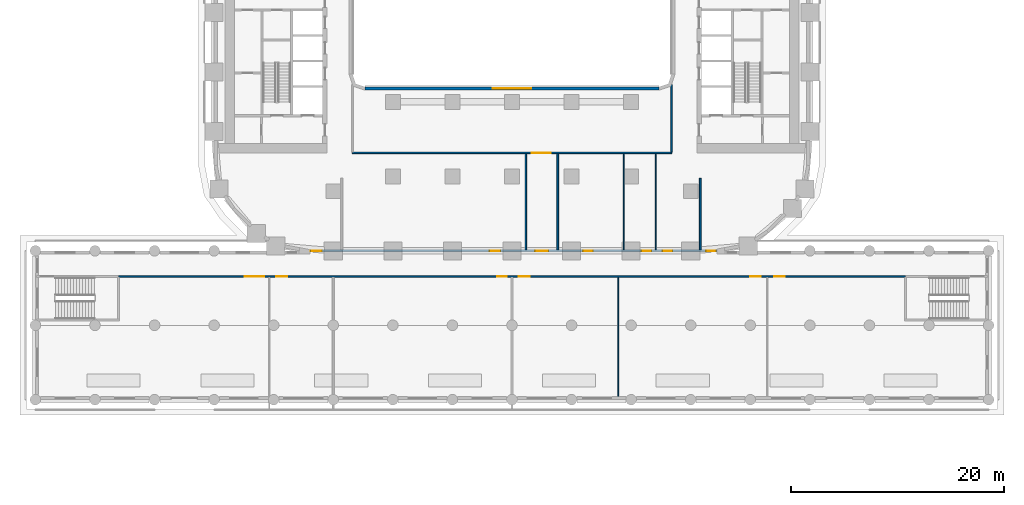
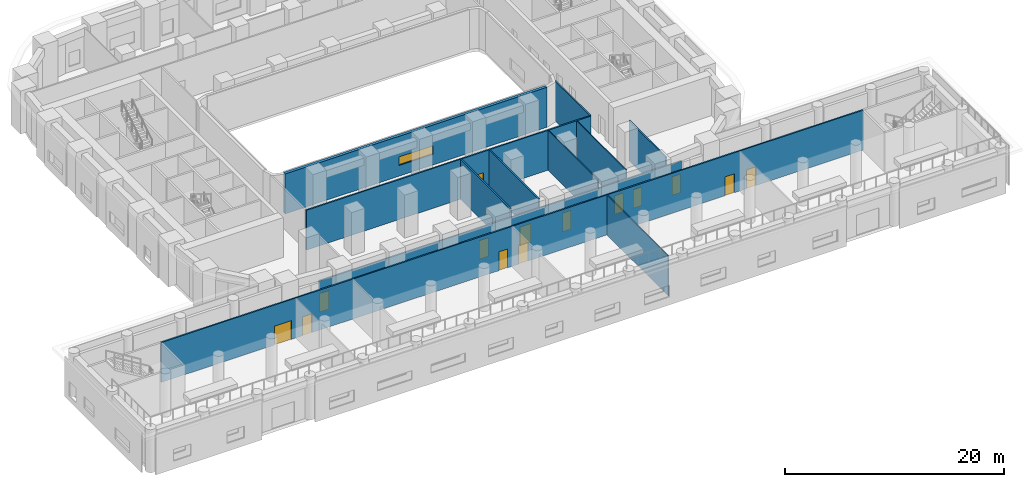
# One storey, part 22 of 35: 14 doors, 11 walls, 1 window, 15 openings.
"""IFC4 building model written with IfcOpenShell, lengths in metres."""

from ifc_helpers import new_model, si_unit, direction, frame, frame_2d, origin, place, context, subcontext, project, spatial, rectangle, extrude, material, layer, layer_set, type_object, element, fill, save


model = new_model("IFC4")

# Units and contexts
model_context = context("Model", 3, precision=1e-05, world=origin(), true_north=direction((0.0, 1.0)))
body_context = subcontext(model_context, "Body", "Model", "MODEL_VIEW")
ifc_project = project(units=[si_unit("LENGTHUNIT", "METRE"), si_unit("AREAUNIT", "SQUARE_METRE"), si_unit("VOLUMEUNIT", "CUBIC_METRE"), si_unit("PLANEANGLEUNIT", "RADIAN"), si_unit("MASSUNIT", "GRAM", prefix="KILO")], contexts=[model_context])

# Site, building, storey
site_placement = place(None, origin())
site = spatial("IfcSite", under=ifc_project, at=site_placement, CompositionType="ELEMENT")
building_placement = place(site_placement, origin())
building = spatial("IfcBuilding", under=site, at=building_placement, Name="Kiln Ring Residences", CompositionType="ELEMENT")
storey_placement = place(building_placement, frame((0.0, 0.0, 20.89990234375)))
storey = spatial("IfcBuildingStorey", under=building, at=storey_placement, Name="L04", CompositionType="ELEMENT", Elevation=20.89990234375)

# Wall, opening, window
ifc_material_1 = material(Name="Brick masonry, dark clay brick", Category="masonry")
ifc_layer_1 = layer(ifc_material_1, 0.300048828125)
ifc_layer_set_1 = layer_set([ifc_layer_1], Name="EW-300 BRICK WALL")
wall_type_1 = type_object("IfcWallType", Name="EW-300 BRICK WALL", PredefinedType="SOLIDWALL", material=ifc_layer_set_1)
wall_1_placement = place(storey_placement, frame((13.800048828125, -7.14990234375, 0.0), z_axis=(0.0, 0.0, 1.0), x_axis=(-1.0, 0.0, 0.0)))
wall_1 = element("IfcWall", 1, at=wall_1_placement, inside=storey, type_object=wall_type_1, Name="Facade wall L04 74", PredefinedType="SOLIDWALL", context=body_context, shape_type="SweptSolid", body=[
    extrude(rectangle(XDim=27.60009765625, YDim=0.300048828125, at=frame_2d((13.800048828125, 0.0))), origin(), (0.0, 0.0, 1.0), 4.4501953125),
])
opening_1_placement = place(wall_1_placement, frame((12.0, 0.0, 1.199951171875)))
opening_1 = element("IfcOpeningElement", 2, at=opening_1_placement, cuts=wall_1, Name="Opening W4", PredefinedType="OPENING", context=body_context, shape_type="SweptSolid", body=[
    extrude(rectangle(XDim=3.60009765625, YDim=0.949951171875, at=frame_2d((1.800048828125, 0.47509765625))), frame((0.0, 0.159912109375, 0.0), z_axis=(0.0, -1.0, 0.0), x_axis=(1.0, 0.0, 0.0)), (0.0, 0.0, 1.0), 0.320068359375),
])
ifc_material_2 = material(Name="Aluminium frame with double glazing", Category="aluminium")
window_type = type_object("IfcWindowType", Name="WINDOW 3600 x 950", PartitioningType="SINGLE_PANEL", PredefinedType="WINDOW", material=ifc_material_2)
window_placement = place(opening_1_placement, origin())
window = element("IfcWindow", 3, at=window_placement, inside=storey, type_object=window_type, Name="Window L04 43", OverallHeight=0.949951171875, OverallWidth=3.60009765625, PartitioningType="SINGLE_PANEL", PredefinedType="WINDOW", context=body_context, shape_type="SweptSolid", body=[
    extrude(rectangle(XDim=3.60009765625, YDim=0.949951171875, at=frame_2d((1.800048828125, 0.47509765625))), frame((0.0, 0.030029296875, 0.0), z_axis=(0.0, -1.0, 0.0), x_axis=(1.0, 0.0, 0.0)), (0.0, 0.0, 1.0), 0.06005859375),
])
fill(opening_1, window)

# Walls
ifc_material_3 = material(Name="Gypsum board on steel studs", Category="steel")
ifc_layer_2 = layer(ifc_material_3, 0.10009765625)
ifc_layer_set_2 = layer_set([ifc_layer_2], Name="PARTITION-100")
wall_type_2 = type_object("IfcWallType", Name="PARTITION-100", PredefinedType="PARTITIONING", material=ifc_layer_set_2)
wall_2_placement = place(storey_placement, frame((10.0, -36.080078125, 0.0), z_axis=(0.0, 0.0, 1.0), x_axis=(0.0, 1.0, 0.0)))
element("IfcWall", 4, at=wall_2_placement, inside=storey, type_object=wall_type_2, Name="Partition 021", PredefinedType="PARTITIONING", context=body_context, shape_type="SweptSolid", body=[
    extrude(rectangle(XDim=11.205078125, YDim=0.10009765625, at=frame_2d((5.6025390625, 0.0))), origin(), (0.0, 0.0, 1.0), 4.4501953125),
])
for number, where, z_axis, x_axis, name in (
    (5, (10.5, -22.324951171875, 0.0), (0.0, 0.0, 1.0), (0.0, 1.0, 0.0), "Partition 022"),
    (6, (13.5, -22.324951171875, 0.0), (0.0, 0.0, 1.0), (0.0, 1.0, 0.0), "Partition 023"),
):
    element("IfcWall", number, at=place(storey_placement, frame(where, z_axis=z_axis, x_axis=x_axis)), inside=storey, type_object=wall_type_2, Name=name, PredefinedType="PARTITIONING", context=body_context, shape_type="SweptSolid", body=[
        extrude(rectangle(XDim=9.050048828125, YDim=0.10009765625, at=frame_2d((4.52490234375, 0.0))), origin(), (0.0, 0.0, 1.0), 4.4501953125),
    ])

# Wall, openings, doors
ifc_material_4 = material(Name="Brick masonry partition", Category="masonry")
ifc_layer_3 = layer(ifc_material_4, 0.14990234375)
ifc_layer_set_3 = layer_set([ifc_layer_3], Name="PARTITION-150-ei60")
wall_type_3 = type_object("IfcWallType", Name="PARTITION-150-ei60", PredefinedType="PARTITIONING", material=ifc_layer_set_3)
wall_3_placement = place(storey_placement, frame((-37.0, -24.800048828125, 0.0), z_axis=(0.0, 0.0, 1.0), x_axis=(1.0, 0.0, 0.0)))
wall_3 = element("IfcWall", 7, at=wall_3_placement, inside=storey, type_object=wall_type_3, Name="Partition 002", PredefinedType="PARTITIONING", context=body_context, shape_type="SweptSolid", body=[
    extrude(rectangle(XDim=74.0, YDim=0.14990234375, at=frame_2d((37.0, 0.0))), origin(), (0.0, 0.0, 1.0), 4.4501953125),
])
opening_2_placement = place(wall_3_placement, frame((11.89990234375, 0.0, 0.0)))
opening_2 = element("IfcOpeningElement", 8, at=opening_2_placement, cuts=wall_3, Name="Opening L04-D008", PredefinedType="OPENING", context=body_context, shape_type="SweptSolid", body=[
    extrude(rectangle(XDim=1.800048828125, YDim=2.10009765625, at=frame_2d((0.89990234375, 1.050048828125))), frame((0.0, 0.0849609375, 0.0), z_axis=(0.0, -1.0, 0.0), x_axis=(1.0, 0.0, 0.0)), (0.0, 0.0, 1.0), 0.169921875),
])
opening_3_placement = place(wall_3_placement, frame((14.85009765625, 0.0, 0.0)))
opening_3 = element("IfcOpeningElement", 9, at=opening_3_placement, cuts=wall_3, Name="Opening L04-D009", PredefinedType="OPENING", context=body_context, shape_type="SweptSolid", body=[
    extrude(rectangle(XDim=1.0, YDim=2.10009765625, at=frame_2d((0.5, 1.050048828125))), frame((0.0, 0.0849609375, 0.0), z_axis=(0.0, -1.0, 0.0), x_axis=(1.0, 0.0, 0.0)), (0.0, 0.0, 1.0), 0.169921875),
])
opening_4_placement = place(wall_3_placement, frame((35.60009765625, 0.0, 0.0)))
opening_4 = element("IfcOpeningElement", 10, at=opening_4_placement, cuts=wall_3, Name="Opening L04-D010", PredefinedType="OPENING", context=body_context, shape_type="SweptSolid", body=[
    extrude(rectangle(XDim=0.89990234375, YDim=2.10009765625, at=frame_2d((0.449951171875, 1.050048828125))), frame((0.0, 0.0849609375, 0.0), z_axis=(0.0, -1.0, 0.0), x_axis=(1.0, 0.0, 0.0)), (0.0, 0.0, 1.0), 0.169921875),
])
opening_5_placement = place(wall_3_placement, frame((37.64990234375, 0.0, 0.0)))
opening_5 = element("IfcOpeningElement", 11, at=opening_5_placement, cuts=wall_3, Name="Opening L04-D011", PredefinedType="OPENING", context=body_context, shape_type="SweptSolid", body=[
    extrude(rectangle(XDim=1.0, YDim=2.10009765625, at=frame_2d((0.5, 1.050048828125))), frame((0.0, 0.0849609375, 0.0), z_axis=(0.0, -1.0, 0.0), x_axis=(1.0, 0.0, 0.0)), (0.0, 0.0, 1.0), 0.169921875),
])
opening_6_placement = place(wall_3_placement, frame((59.39990234375, 0.0, 0.0)))
opening_6 = element("IfcOpeningElement", 12, at=opening_6_placement, cuts=wall_3, Name="Opening L04-D012", PredefinedType="OPENING", context=body_context, shape_type="SweptSolid", body=[
    extrude(rectangle(XDim=1.0, YDim=2.10009765625, at=frame_2d((0.5, 1.050048828125))), frame((0.0, 0.0849609375, 0.0), z_axis=(0.0, -1.0, 0.0), x_axis=(1.0, 0.0, 0.0)), (0.0, 0.0, 1.0), 0.169921875),
])
opening_7_placement = place(wall_3_placement, frame((61.64990234375, 0.0, 0.0)))
opening_7 = element("IfcOpeningElement", 13, at=opening_7_placement, cuts=wall_3, Name="Opening L04-D013", PredefinedType="OPENING", context=body_context, shape_type="SweptSolid", body=[
    extrude(rectangle(XDim=1.0, YDim=2.10009765625, at=frame_2d((0.5, 1.050048828125))), frame((0.0, 0.0849609375, 0.0), z_axis=(0.0, -1.0, 0.0), x_axis=(1.0, 0.0, 0.0)), (0.0, 0.0, 1.0), 0.169921875),
])
ifc_material_5 = material(Name="Steel faced fire door leaf", Category="steel")
door_type_1 = type_object("IfcDoorType", Name="FLAT-DOOR-1000-FR", OperationType="SINGLE_SWING_LEFT", PredefinedType="DOOR", material=ifc_material_5)
door_1_placement = place(opening_3_placement, origin())
door_1 = element("IfcDoor", 14, at=door_1_placement, inside=storey, type_object=door_type_1, Name="Door L04-D009", OperationType="SINGLE_SWING_LEFT", OverallHeight=2.10009765625, OverallWidth=1.0, PredefinedType="DOOR", context=body_context, shape_type="SweptSolid", body=[
    extrude(rectangle(XDim=1.0, YDim=2.10009765625, at=frame_2d((0.5, 1.050048828125))), frame((0.0, 0.02490234375, 0.0), z_axis=(0.0, -1.0, 0.0), x_axis=(1.0, 0.0, 0.0)), (0.0, 0.0, 1.0), 0.050048828125),
])
fill(opening_3, door_1)
door_2_placement = place(opening_5_placement, origin())
door_2 = element("IfcDoor", 15, at=door_2_placement, inside=storey, type_object=door_type_1, Name="Door L04-D011", OperationType="SINGLE_SWING_LEFT", OverallHeight=2.10009765625, OverallWidth=1.0, PredefinedType="DOOR", context=body_context, shape_type="SweptSolid", body=[
    extrude(rectangle(XDim=1.0, YDim=2.10009765625, at=frame_2d((0.5, 1.050048828125))), frame((0.0, 0.02490234375, 0.0), z_axis=(0.0, -1.0, 0.0), x_axis=(1.0, 0.0, 0.0)), (0.0, 0.0, 1.0), 0.050048828125),
])
fill(opening_5, door_2)
door_3_placement = place(opening_6_placement, origin())
door_3 = element("IfcDoor", 16, at=door_3_placement, inside=storey, type_object=door_type_1, Name="Door L04-D012", OperationType="SINGLE_SWING_RIGHT", OverallHeight=2.10009765625, OverallWidth=1.0, PredefinedType="DOOR", context=body_context, shape_type="SweptSolid", body=[
    extrude(rectangle(XDim=1.0, YDim=2.10009765625, at=frame_2d((0.5, 1.050048828125))), frame((0.0, 0.02490234375, 0.0), z_axis=(0.0, -1.0, 0.0), x_axis=(1.0, 0.0, 0.0)), (0.0, 0.0, 1.0), 0.050048828125),
])
fill(opening_6, door_3)
door_4_placement = place(opening_7_placement, origin())
door_4 = element("IfcDoor", 17, at=door_4_placement, inside=storey, type_object=door_type_1, Name="Door L04-D013", OperationType="SINGLE_SWING_LEFT", OverallHeight=2.10009765625, OverallWidth=1.0, PredefinedType="DOOR", context=body_context, shape_type="SweptSolid", body=[
    extrude(rectangle(XDim=1.0, YDim=2.10009765625, at=frame_2d((0.5, 1.050048828125))), frame((0.0, 0.02490234375, 0.0), z_axis=(0.0, -1.0, 0.0), x_axis=(1.0, 0.0, 0.0)), (0.0, 0.0, 1.0), 0.050048828125),
])
fill(opening_7, door_4)
ifc_material_6 = material(Name="Steel faced fire door leaf", Category="steel")
door_type_2 = type_object("IfcDoorType", Name="FLAT-DOOR-1800-FR", OperationType="SINGLE_SWING_LEFT", PredefinedType="DOOR", material=ifc_material_6)
door_5_placement = place(opening_2_placement, origin())
door_5 = element("IfcDoor", 18, at=door_5_placement, inside=storey, type_object=door_type_2, Name="Door L04-D008", OperationType="SINGLE_SWING_RIGHT", OverallHeight=2.10009765625, OverallWidth=1.800048828125, PredefinedType="DOOR", context=body_context, shape_type="SweptSolid", body=[
    extrude(rectangle(XDim=1.800048828125, YDim=2.10009765625, at=frame_2d((0.89990234375, 1.050048828125))), frame((0.0, 0.02490234375, 0.0), z_axis=(0.0, -1.0, 0.0), x_axis=(1.0, 0.0, 0.0)), (0.0, 0.0, 1.0), 0.050048828125),
])
fill(opening_2, door_5)
ifc_material_7 = material(Name="Steel faced fire door leaf", Category="steel")
door_type_3 = type_object("IfcDoorType", Name="FLAT-DOOR-900-FR", OperationType="SINGLE_SWING_LEFT", PredefinedType="DOOR", material=ifc_material_7)
door_6_placement = place(opening_4_placement, origin())
door_6 = element("IfcDoor", 19, at=door_6_placement, inside=storey, type_object=door_type_3, Name="Door L04-D010", OperationType="SINGLE_SWING_RIGHT", OverallHeight=2.10009765625, OverallWidth=0.89990234375, PredefinedType="DOOR", context=body_context, shape_type="SweptSolid", body=[
    extrude(rectangle(XDim=0.89990234375, YDim=2.10009765625, at=frame_2d((0.449951171875, 1.050048828125))), frame((0.0, 0.02490234375, 0.0), z_axis=(0.0, -1.0, 0.0), x_axis=(1.0, 0.0, 0.0)), (0.0, 0.0, 1.0), 0.050048828125),
])
fill(opening_4, door_6)

wall_4_placement = place(storey_placement, frame((-18.97998046875, -22.39990234375, 0.0), z_axis=(0.0, 0.0, 1.0), x_axis=(1.0, 0.0, 0.0)))
wall_4 = element("IfcWall", 20, at=wall_4_placement, inside=storey, type_object=wall_type_3, Name="Partition 005", PredefinedType="PARTITIONING", context=body_context, shape_type="SweptSolid", body=[
    extrude(rectangle(XDim=38.2109375, YDim=0.14990234375, at=frame_2d((19.10546875, 0.0))), origin(), (0.0, 0.0, 1.0), 3.550048828125),
])
opening_8_placement = place(wall_4_placement, frame((21.179931640625, 0.0, 0.0)))
opening_8 = element("IfcOpeningElement", 21, at=opening_8_placement, cuts=wall_4, Name="Opening L04-D005", PredefinedType="OPENING", context=body_context, shape_type="SweptSolid", body=[
    extrude(rectangle(XDim=1.199951171875, YDim=2.10009765625, at=frame_2d((0.60009765625, 1.050048828125))), frame((0.0, 0.0849609375, 0.0), z_axis=(0.0, -1.0, 0.0), x_axis=(1.0, 0.0, 0.0)), (0.0, 0.0, 1.0), 0.169921875),
])
opening_9_placement = place(wall_4_placement, frame((0.080078125, 0.0, 0.0)))
opening_9 = element("IfcOpeningElement", 22, at=opening_9_placement, cuts=wall_4, Name="Opening L04-D014", PredefinedType="OPENING", context=body_context, shape_type="SweptSolid", body=[
    extrude(rectangle(XDim=1.0, YDim=2.10009765625, at=frame_2d((0.5, 1.050048828125))), frame((0.0, 0.0849609375, 0.0), z_axis=(0.0, -1.0, 0.0), x_axis=(1.0, 0.0, 0.0)), (0.0, 0.0, 1.0), 0.169921875),
])
opening_10_placement = place(wall_4_placement, frame((16.8798828125, 0.0, 0.0)))
opening_10 = element("IfcOpeningElement", 23, at=opening_10_placement, cuts=wall_4, Name="Opening L04-D015", PredefinedType="OPENING", context=body_context, shape_type="SweptSolid", body=[
    extrude(rectangle(XDim=1.0, YDim=2.10009765625, at=frame_2d((0.5, 1.050048828125))), frame((0.0, 0.0849609375, 0.0), z_axis=(0.0, -1.0, 0.0), x_axis=(1.0, 0.0, 0.0)), (0.0, 0.0, 1.0), 0.169921875),
])
opening_11_placement = place(wall_4_placement, frame((25.679931640625, 0.0, 0.0)))
opening_11 = element("IfcOpeningElement", 24, at=opening_11_placement, cuts=wall_4, Name="Opening L04-D016", PredefinedType="OPENING", context=body_context, shape_type="SweptSolid", body=[
    extrude(rectangle(XDim=0.89990234375, YDim=2.10009765625, at=frame_2d((0.449951171875, 1.050048828125))), frame((0.0, 0.0849609375, 0.0), z_axis=(0.0, -1.0, 0.0), x_axis=(1.0, 0.0, 0.0)), (0.0, 0.0, 1.0), 0.169921875),
])
opening_12_placement = place(wall_4_placement, frame((31.179931640625, 0.0, 0.0)))
opening_12 = element("IfcOpeningElement", 25, at=opening_12_placement, cuts=wall_4, Name="Opening L04-D017", PredefinedType="OPENING", context=body_context, shape_type="SweptSolid", body=[
    extrude(rectangle(XDim=0.89990234375, YDim=2.10009765625, at=frame_2d((0.449951171875, 1.050048828125))), frame((0.0, 0.0849609375, 0.0), z_axis=(0.0, -1.0, 0.0), x_axis=(1.0, 0.0, 0.0)), (0.0, 0.0, 1.0), 0.169921875),
])
opening_13_placement = place(wall_4_placement, frame((33.1298828125, 0.0, 0.0)))
opening_13 = element("IfcOpeningElement", 26, at=opening_13_placement, cuts=wall_4, Name="Opening L04-D018", PredefinedType="OPENING", context=body_context, shape_type="SweptSolid", body=[
    extrude(rectangle(XDim=0.89990234375, YDim=2.10009765625, at=frame_2d((0.449951171875, 1.050048828125))), frame((0.0, 0.0849609375, 0.0), z_axis=(0.0, -1.0, 0.0), x_axis=(1.0, 0.0, 0.0)), (0.0, 0.0, 1.0), 0.169921875),
])
opening_14_placement = place(wall_4_placement, frame((37.23095703125, 0.0, 0.0)))
opening_14 = element("IfcOpeningElement", 27, at=opening_14_placement, cuts=wall_4, Name="Opening L04-D019", PredefinedType="OPENING", context=body_context, shape_type="SweptSolid", body=[
    extrude(rectangle(XDim=0.89990234375, YDim=2.10009765625, at=frame_2d((0.449951171875, 1.050048828125))), frame((0.0, 0.0849609375, 0.0), z_axis=(0.0, -1.0, 0.0), x_axis=(1.0, 0.0, 0.0)), (0.0, 0.0, 1.0), 0.169921875),
])
door_7_placement = place(opening_9_placement, origin())
door_7 = element("IfcDoor", 28, at=door_7_placement, inside=storey, type_object=door_type_1, Name="Door L04-D014", OperationType="SINGLE_SWING_RIGHT", OverallHeight=2.10009765625, OverallWidth=1.0, PredefinedType="DOOR", context=body_context, shape_type="SweptSolid", body=[
    extrude(rectangle(XDim=1.0, YDim=2.10009765625, at=frame_2d((0.5, 1.050048828125))), frame((0.0, 0.02490234375, 0.0), z_axis=(0.0, -1.0, 0.0), x_axis=(1.0, 0.0, 0.0)), (0.0, 0.0, 1.0), 0.050048828125),
])
fill(opening_9, door_7)
door_8_placement = place(opening_10_placement, origin())
door_8 = element("IfcDoor", 29, at=door_8_placement, inside=storey, type_object=door_type_1, Name="Door L04-D015", OperationType="SINGLE_SWING_LEFT", OverallHeight=2.10009765625, OverallWidth=1.0, PredefinedType="DOOR", context=body_context, shape_type="SweptSolid", body=[
    extrude(rectangle(XDim=1.0, YDim=2.10009765625, at=frame_2d((0.5, 1.050048828125))), frame((0.0, 0.02490234375, 0.0), z_axis=(0.0, -1.0, 0.0), x_axis=(1.0, 0.0, 0.0)), (0.0, 0.0, 1.0), 0.050048828125),
])
fill(opening_10, door_8)
ifc_material_8 = material(Name="Steel faced fire door leaf", Category="steel")
door_type_4 = type_object("IfcDoorType", Name="FLAT-DOOR-1200-FR", OperationType="SINGLE_SWING_LEFT", PredefinedType="DOOR", material=ifc_material_8)
door_9_placement = place(opening_8_placement, origin())
door_9 = element("IfcDoor", 30, at=door_9_placement, inside=storey, type_object=door_type_4, Name="Door L04-D005", OperationType="SINGLE_SWING_LEFT", OverallHeight=2.10009765625, OverallWidth=1.199951171875, PredefinedType="DOOR", context=body_context, shape_type="SweptSolid", body=[
    extrude(rectangle(XDim=1.199951171875, YDim=2.10009765625, at=frame_2d((0.60009765625, 1.050048828125))), frame((0.0, 0.02490234375, 0.0), z_axis=(0.0, -1.0, 0.0), x_axis=(1.0, 0.0, 0.0)), (0.0, 0.0, 1.0), 0.050048828125),
])
fill(opening_8, door_9)
door_10_placement = place(opening_11_placement, origin())
door_10 = element("IfcDoor", 31, at=door_10_placement, inside=storey, type_object=door_type_3, Name="Door L04-D016", OperationType="SINGLE_SWING_RIGHT", OverallHeight=2.10009765625, OverallWidth=0.89990234375, PredefinedType="DOOR", context=body_context, shape_type="SweptSolid", body=[
    extrude(rectangle(XDim=0.89990234375, YDim=2.10009765625, at=frame_2d((0.449951171875, 1.050048828125))), frame((0.0, 0.02490234375, 0.0), z_axis=(0.0, -1.0, 0.0), x_axis=(1.0, 0.0, 0.0)), (0.0, 0.0, 1.0), 0.050048828125),
])
fill(opening_11, door_10)
door_11_placement = place(opening_12_placement, origin())
door_11 = element("IfcDoor", 32, at=door_11_placement, inside=storey, type_object=door_type_3, Name="Door L04-D017", OperationType="SINGLE_SWING_LEFT", OverallHeight=2.10009765625, OverallWidth=0.89990234375, PredefinedType="DOOR", context=body_context, shape_type="SweptSolid", body=[
    extrude(rectangle(XDim=0.89990234375, YDim=2.10009765625, at=frame_2d((0.449951171875, 1.050048828125))), frame((0.0, 0.02490234375, 0.0), z_axis=(0.0, -1.0, 0.0), x_axis=(1.0, 0.0, 0.0)), (0.0, 0.0, 1.0), 0.050048828125),
])
fill(opening_12, door_11)
door_12_placement = place(opening_13_placement, origin())
door_12 = element("IfcDoor", 33, at=door_12_placement, inside=storey, type_object=door_type_3, Name="Door L04-D018", OperationType="SINGLE_SWING_RIGHT", OverallHeight=2.10009765625, OverallWidth=0.89990234375, PredefinedType="DOOR", context=body_context, shape_type="SweptSolid", body=[
    extrude(rectangle(XDim=0.89990234375, YDim=2.10009765625, at=frame_2d((0.449951171875, 1.050048828125))), frame((0.0, 0.02490234375, 0.0), z_axis=(0.0, -1.0, 0.0), x_axis=(1.0, 0.0, 0.0)), (0.0, 0.0, 1.0), 0.050048828125),
])
fill(opening_13, door_12)
door_13_placement = place(opening_14_placement, origin())
door_13 = element("IfcDoor", 34, at=door_13_placement, inside=storey, type_object=door_type_3, Name="Door L04-D019", OperationType="SINGLE_SWING_LEFT", OverallHeight=2.10009765625, OverallWidth=0.89990234375, PredefinedType="DOOR", context=body_context, shape_type="SweptSolid", body=[
    extrude(rectangle(XDim=0.89990234375, YDim=2.10009765625, at=frame_2d((0.449951171875, 1.050048828125))), frame((0.0, 0.02490234375, 0.0), z_axis=(0.0, -1.0, 0.0), x_axis=(1.0, 0.0, 0.0)), (0.0, 0.0, 1.0), 0.050048828125),
])
fill(opening_14, door_13)

# Wall, opening, door
wall_5_placement = place(storey_placement, frame((-15.0048828125, -13.199951171875, 0.0), z_axis=(0.0, 0.0, 1.0), x_axis=(1.0, 0.0, 0.0)))
wall_5 = element("IfcWall", 35, at=wall_5_placement, inside=storey, type_object=wall_type_3, Name="Partition 006", PredefinedType="PARTITIONING", context=body_context, shape_type="SweptSolid", body=[
    extrude(rectangle(XDim=30.009765625, YDim=0.14990234375, at=frame_2d((15.0048828125, 0.0))), origin(), (0.0, 0.0, 1.0), 4.4501953125),
])
opening_15_placement = place(wall_5_placement, frame((16.85498046875, 0.0, 0.0)))
opening_15 = element("IfcOpeningElement", 36, at=opening_15_placement, cuts=wall_5, Name="Opening L04-D004", PredefinedType="OPENING", context=body_context, shape_type="SweptSolid", body=[
    extrude(rectangle(XDim=1.800048828125, YDim=2.10009765625, at=frame_2d((0.89990234375, 1.050048828125))), frame((0.0, 0.0849609375, 0.0), z_axis=(0.0, -1.0, 0.0), x_axis=(1.0, 0.0, 0.0)), (0.0, 0.0, 1.0), 0.169921875),
])
door_14_placement = place(opening_15_placement, origin())
door_14 = element("IfcDoor", 37, at=door_14_placement, inside=storey, type_object=door_type_2, Name="Door L04-D004", OperationType="SINGLE_SWING_RIGHT", OverallHeight=2.10009765625, OverallWidth=1.800048828125, PredefinedType="DOOR", context=body_context, shape_type="SweptSolid", body=[
    extrude(rectangle(XDim=1.800048828125, YDim=2.10009765625, at=frame_2d((0.89990234375, 1.050048828125))), frame((0.0, 0.02490234375, 0.0), z_axis=(0.0, -1.0, 0.0), x_axis=(1.0, 0.0, 0.0)), (0.0, 0.0, 1.0), 0.050048828125),
])
fill(opening_15, door_14)

# Walls
for number, where, z_axis, x_axis, name in (
    (38, (1.300048828125, -22.324951171875, 0.0), (0.0, 0.0, 1.0), (0.0, 1.0, 0.0), "Partition 018"),
    (39, (4.300048828125, -22.324951171875, 0.0), (0.0, 0.0, 1.0), (0.0, 1.0, 0.0), "Partition 020"),
):
    element("IfcWall", number, at=place(storey_placement, frame(where, z_axis=z_axis, x_axis=x_axis)), inside=storey, type_object=wall_type_3, Name=name, PredefinedType="PARTITIONING", context=body_context, shape_type="SweptSolid", body=[
        extrude(rectangle(XDim=9.050048828125, YDim=0.14990234375, at=frame_2d((4.52490234375, 0.0))), origin(), (0.0, 0.0, 1.0), 4.4501953125),
    ])
wall_6_placement = place(storey_placement, frame((15.0, -13.125, 0.0), z_axis=(0.0, 0.0, 1.0), x_axis=(0.0, 1.0, 0.0)))
element("IfcWall", 40, at=wall_6_placement, inside=storey, type_object=wall_type_3, Name="Partition 025", PredefinedType="PARTITIONING", context=body_context, shape_type="SweptSolid", body=[
    extrude(rectangle(XDim=6.356201171875, YDim=0.14990234375, at=frame_2d((3.17822265625, 0.0))), origin(), (0.0, 0.0, 1.0), 4.4501953125),
])
wall_7_placement = place(storey_placement, frame((17.699951171875, -22.324951171875, 0.0), z_axis=(0.0, 0.0, 1.0), x_axis=(0.0, 1.0, 0.0)))
element("IfcWall", 41, at=wall_7_placement, inside=storey, type_object=wall_type_3, Name="Partition 027", PredefinedType="PARTITIONING", context=body_context, shape_type="SweptSolid", body=[
    extrude(rectangle(XDim=6.724853515625, YDim=0.14990234375, at=frame_2d((3.3623046875, 0.0))), origin(), (0.0, 0.0, 1.0), 4.4501953125),
])

save(model, "model.ifc")
